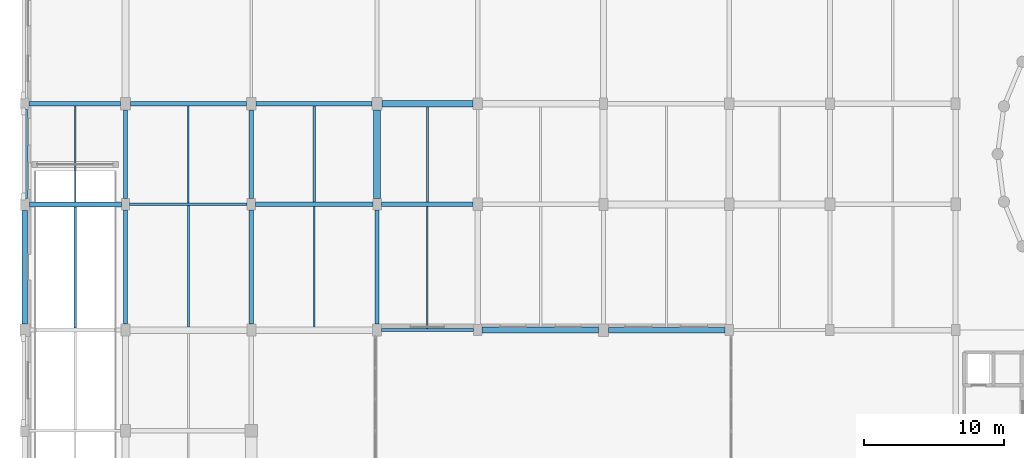
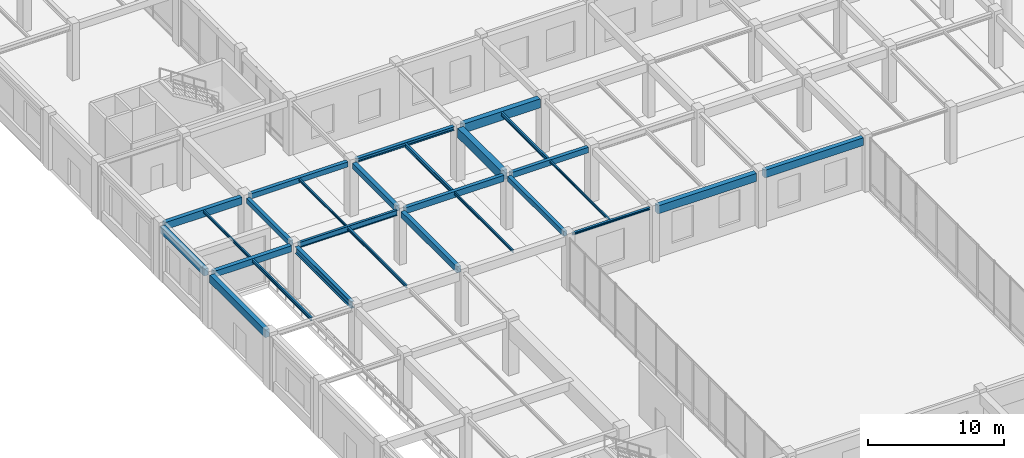
# One storey, part 14 of 64: 27 beams.
"""IFC4 building model written with IfcOpenShell, lengths in metres."""

from ifc_helpers import new_model, si_unit, direction, frame, origin, origin_2d, place, context, subcontext, project, spatial, rectangle, i_section, extrude, material, material_profile, profile_set, type_object, element, save


model = new_model("IFC4")

# Units and contexts
model_context = context("Model", 3, precision=1e-05, world=origin(), true_north=direction((0.0, 1.0)))
body_context = subcontext(model_context, "Body", "Model", "MODEL_VIEW")
ifc_project = project(units=[si_unit("LENGTHUNIT", "METRE"), si_unit("AREAUNIT", "SQUARE_METRE"), si_unit("VOLUMEUNIT", "CUBIC_METRE"), si_unit("PLANEANGLEUNIT", "RADIAN"), si_unit("MASSUNIT", "GRAM", prefix="KILO")], contexts=[model_context])

# Site, building, storey
site_placement = place(None, origin())
site = spatial("IfcSite", under=ifc_project, at=site_placement, CompositionType="ELEMENT")
building_placement = place(site_placement, origin())
building = spatial("IfcBuilding", under=site, at=building_placement, Name="Clarverna Civic Hall", CompositionType="ELEMENT")
storey_placement = place(building_placement, origin())
storey = spatial("IfcBuildingStorey", under=building, at=storey_placement, Name="L00", CompositionType="ELEMENT", Elevation=0.0)

# Beams
ifc_material_1 = material(Name="Steel S355", Category="steel")
ifc_material_profile_1 = material_profile(ifc_material_1, i_section(OverallWidth=0.199951171875, OverallDepth=0.18994140625, WebThickness=0.006591796875, FlangeThickness=0.010009765625, FilletRadius=0.01806640625, at=origin_2d()), Name="HEA 200")
ifc_profile_set_1 = profile_set([ifc_material_profile_1], Name="Steel S355")
beam_type_1 = type_object("IfcBeamType", Name="B-LN2", PredefinedType="LINTEL", material=ifc_profile_set_1)
beam_1_placement = place(storey_placement, frame((25.52490234375, 46.39990234375, 4.68505859375), z_axis=(1.0, 0.0, 0.0), x_axis=(0.0, 1.0, 0.0)))
element("IfcBeam", 1, at=beam_1_placement, inside=storey, type_object=beam_type_1, Name="B-LN2-004", PredefinedType="LINTEL", context=body_context, shape_type="SweptSolid", body=[
    extrude(i_section(OverallWidth=0.199951171875, OverallDepth=0.18994140625, WebThickness=0.006591796875, FlangeThickness=0.010009765625, FilletRadius=0.01806640625, at=origin_2d()), origin(), (0.0, 0.0, 1.0), 6.5751953125),
])
ifc_material_2 = material(Name="Concrete C35/45", Category="concrete")
ifc_material_profile_2 = material_profile(ifc_material_2, rectangle(XDim=0.5, YDim=0.85009765625, at=origin_2d()), Name="RC 500x850")
ifc_profile_set_2 = profile_set([ifc_material_profile_2], Name="Concrete C35/45")
beam_type_2 = type_object("IfcBeamType", Name="B-RC1", PredefinedType="BEAM", material=ifc_profile_set_2)
beam_2_placement = place(storey_placement, frame((25.199951171875, 55.800048828125, 4.35498046875), z_axis=(0.0, 1.0, 0.0), x_axis=(-1.0, 0.0, 0.0)))
element("IfcBeam", 2, at=beam_2_placement, inside=storey, type_object=beam_type_2, Name="B-RC1-014", PredefinedType="BEAM", context=body_context, shape_type="SweptSolid", body=[
    extrude(rectangle(XDim=0.5, YDim=0.85009765625, at=origin_2d()), origin(), (0.0, 0.0, 1.0), 6.349853515625),
])
ifc_material_profile_3 = material_profile(ifc_material_2, rectangle(XDim=0.35009765625, YDim=0.5, at=origin_2d()), Name="RC 350x500")
ifc_profile_set_3 = profile_set([ifc_material_profile_3], Name="Concrete C35/45")
beam_type_3 = type_object("IfcBeamType", Name="B-RC10", PredefinedType="BEAM", material=ifc_profile_set_3)
beam_3_placement = place(storey_placement, frame((16.199951171875, 55.800048828125, 4.530029296875), z_axis=(0.0, 1.0, 0.0), x_axis=(-1.0, 0.0, 0.0)))
element("IfcBeam", 3, at=beam_3_placement, inside=storey, type_object=beam_type_3, Name="B-RC10-018", PredefinedType="BEAM", context=body_context, shape_type="SweptSolid", body=[
    extrude(rectangle(XDim=0.35009765625, YDim=0.5, at=origin_2d()), origin(), (0.0, 0.0, 1.0), 6.349853515625),
])
ifc_material_profile_4 = material_profile(ifc_material_2, rectangle(XDim=0.300048828125, YDim=0.550048828125, at=origin_2d()), Name="RC 300x550")
ifc_profile_set_4 = profile_set([ifc_material_profile_4], Name="Concrete C35/45")
beam_type_4 = type_object("IfcBeamType", Name="B-RC11", PredefinedType="BEAM", material=ifc_profile_set_4)
beam_4_placement = place(storey_placement, frame((16.5, 55.39990234375, 4.5048828125), z_axis=(1.0, 0.0, 0.0), x_axis=(0.0, 1.0, 0.0)))
element("IfcBeam", 4, at=beam_4_placement, inside=storey, type_object=beam_type_4, Name="B-RC11-019", PredefinedType="BEAM", context=body_context, shape_type="SweptSolid", body=[
    extrude(rectangle(XDim=0.300048828125, YDim=0.550048828125, at=origin_2d()), origin(), (0.0, 0.0, 1.0), 8.39990234375),
])
ifc_material_profile_5 = material_profile(ifc_material_2, rectangle(XDim=0.300048828125, YDim=0.5, at=origin_2d()), Name="RC 300x500")
ifc_profile_set_5 = profile_set([ifc_material_profile_5], Name="Concrete C35/45")
beam_type_5 = type_object("IfcBeamType", Name="B-RC12", PredefinedType="BEAM", material=ifc_profile_set_5)
beam_5_placement = place(storey_placement, frame((25.5, 55.39990234375, 4.530029296875), z_axis=(1.0, 0.0, 0.0), x_axis=(0.0, 1.0, 0.0)))
element("IfcBeam", 5, at=beam_5_placement, inside=storey, type_object=beam_type_5, Name="B-RC12-020", PredefinedType="BEAM", context=body_context, shape_type="SweptSolid", body=[
    extrude(rectangle(XDim=0.300048828125, YDim=0.5, at=origin_2d()), origin(), (0.0, 0.0, 1.0), 6.550048828125),
])
ifc_material_profile_6 = material_profile(ifc_material_2, rectangle(XDim=0.35009765625, YDim=0.64990234375, at=origin_2d()), Name="RC 350x650")
ifc_profile_set_6 = profile_set([ifc_material_profile_6], Name="Concrete C35/45")
beam_type_6 = type_object("IfcBeamType", Name="B-RC17", PredefinedType="BEAM", material=ifc_profile_set_6)
beam_6_placement = place(storey_placement, frame((0.300048828125, 62.60009765625, 4.455078125), z_axis=(1.0, 0.0, 0.0), x_axis=(0.0, 1.0, 0.0)))
element("IfcBeam", 6, at=beam_6_placement, inside=storey, type_object=beam_type_6, Name="B-RC17-019", PredefinedType="BEAM", context=body_context, shape_type="SweptSolid", body=[
    extrude(rectangle(XDim=0.35009765625, YDim=0.64990234375, at=origin_2d()), origin(), (0.0, 0.0, 1.0), 6.550048828125),
])
ifc_material_profile_7 = material_profile(ifc_material_2, rectangle(XDim=0.300048828125, YDim=0.449951171875, at=origin_2d()), Name="RC 300x450")
ifc_profile_set_7 = profile_set([ifc_material_profile_7], Name="Concrete C35/45")
beam_type_7 = type_object("IfcBeamType", Name="B-RC18", PredefinedType="BEAM", material=ifc_profile_set_7)
beam_7_placement = place(storey_placement, frame((7.550048828125, 62.60009765625, 4.554931640625), z_axis=(1.0, 0.0, 0.0), x_axis=(0.0, 1.0, 0.0)))
element("IfcBeam", 7, at=beam_7_placement, inside=storey, type_object=beam_type_7, Name="B-RC18-015", PredefinedType="BEAM", context=body_context, shape_type="SweptSolid", body=[
    extrude(rectangle(XDim=0.300048828125, YDim=0.449951171875, at=origin_2d()), origin(), (0.0, 0.0, 1.0), 8.300048828125),
])
beam_8_placement = place(storey_placement, frame((7.199951171875, 55.800048828125, 4.554931640625), z_axis=(0.0, 1.0, 0.0), x_axis=(-1.0, 0.0, 0.0)))
element("IfcBeam", 8, at=beam_8_placement, inside=storey, type_object=beam_type_7, Name="B-RC18-019", PredefinedType="BEAM", context=body_context, shape_type="SweptSolid", body=[
    extrude(rectangle(XDim=0.300048828125, YDim=0.449951171875, at=origin_2d()), origin(), (0.0, 0.0, 1.0), 6.349853515625),
])
beam_9_placement = place(storey_placement, frame((25.199951171875, 46.824951171875, 4.554931640625), z_axis=(0.0, 1.0, 0.0), x_axis=(-1.0, 0.0, 0.0)))
element("IfcBeam", 9, at=beam_9_placement, inside=storey, type_object=beam_type_7, Name="B-RC18-020", PredefinedType="BEAM", context=body_context, shape_type="SweptSolid", body=[
    extrude(rectangle(XDim=0.300048828125, YDim=0.449951171875, at=origin_2d()), origin(), (0.0, 0.0, 1.0), 8.175048828125),
])
ifc_material_profile_8 = material_profile(ifc_material_2, rectangle(XDim=0.449951171875, YDim=0.800048828125, at=origin_2d()), Name="RC 450x800")
ifc_profile_set_8 = profile_set([ifc_material_profile_8], Name="Concrete C35/45")
beam_type_8 = type_object("IfcBeamType", Name="B-RC2", PredefinedType="BEAM", material=ifc_profile_set_8)
beam_10_placement = place(storey_placement, frame((25.550048828125, 62.60009765625, 4.3798828125), z_axis=(1.0, 0.0, 0.0), x_axis=(0.0, 1.0, 0.0)))
element("IfcBeam", 10, at=beam_10_placement, inside=storey, type_object=beam_type_8, Name="B-RC2-015", PredefinedType="BEAM", context=body_context, shape_type="SweptSolid", body=[
    extrude(rectangle(XDim=0.449951171875, YDim=0.800048828125, at=origin_2d()), origin(), (0.0, 0.0, 1.0), 6.52490234375),
])
ifc_material_profile_9 = material_profile(ifc_material_2, rectangle(XDim=0.35009765625, YDim=0.550048828125, at=origin_2d()), Name="RC 350x550")
ifc_profile_set_9 = profile_set([ifc_material_profile_9], Name="Concrete C35/45")
beam_type_9 = type_object("IfcBeamType", Name="B-RC9", PredefinedType="BEAM", material=ifc_profile_set_9)
beam_11_placement = place(storey_placement, frame((0.324951171875, 55.39990234375, 4.5048828125), z_axis=(1.0, 0.0, 0.0), x_axis=(0.0, 1.0, 0.0)))
element("IfcBeam", 11, at=beam_11_placement, inside=storey, type_object=beam_type_9, Name="B-RC9-017", PredefinedType="BEAM", context=body_context, shape_type="SweptSolid", body=[
    extrude(rectangle(XDim=0.35009765625, YDim=0.550048828125, at=origin_2d()), origin(), (0.0, 0.0, 1.0), 6.574951171875),
])
beam_12_placement = place(storey_placement, frame((16.199951171875, 46.824951171875, 4.5048828125), z_axis=(0.0, 1.0, 0.0), x_axis=(-1.0, 0.0, 0.0)))
element("IfcBeam", 12, at=beam_12_placement, inside=storey, type_object=beam_type_9, Name="B-RC9-020", PredefinedType="BEAM", context=body_context, shape_type="SweptSolid", body=[
    extrude(rectangle(XDim=0.35009765625, YDim=0.550048828125, at=origin_2d()), origin(), (0.0, 0.0, 1.0), 8.175048828125),
])
ifc_material_profile_10 = material_profile(ifc_material_2, rectangle(XDim=0.419921875, YDim=0.719970703125, at=origin_2d()), Name="RC 420x720")
ifc_profile_set_10 = profile_set([ifc_material_profile_10], Name="Concrete C35/45")
beam_type_10 = type_object("IfcBeamType", Name="B-SP1", PredefinedType="SPANDREL", material=ifc_profile_set_10)
beam_13_placement = place(storey_placement, frame((32.699951171875, 46.39990234375, 4.419921875), z_axis=(1.0, 0.0, 0.0), x_axis=(0.0, 1.0, 0.0)))
element("IfcBeam", 13, at=beam_13_placement, inside=storey, type_object=beam_type_10, Name="B-SP1-036", PredefinedType="SPANDREL", context=body_context, shape_type="SweptSolid", body=[
    extrude(rectangle(XDim=0.419921875, YDim=0.719970703125, at=origin_2d()), origin(), (0.0, 0.0, 1.0), 8.35009765625),
])
ifc_material_profile_11 = material_profile(ifc_material_2, rectangle(XDim=0.3798828125, YDim=0.679931640625, at=origin_2d()), Name="RC 380x680")
ifc_profile_set_11 = profile_set([ifc_material_profile_11], Name="Concrete C35/45")
beam_type_11 = type_object("IfcBeamType", Name="B-SP2", PredefinedType="SPANDREL", material=ifc_profile_set_11)
beam_14_placement = place(storey_placement, frame((41.75, 46.39990234375, 4.43994140625), z_axis=(1.0, 0.0, 0.0), x_axis=(0.0, 1.0, 0.0)))
element("IfcBeam", 14, at=beam_14_placement, inside=storey, type_object=beam_type_11, Name="B-SP2-034", PredefinedType="SPANDREL", context=body_context, shape_type="SweptSolid", body=[
    extrude(rectangle(XDim=0.3798828125, YDim=0.679931640625, at=origin_2d()), origin(), (0.0, 0.0, 1.0), 8.35009765625),
])
beam_15_placement = place(storey_placement, frame((0.0, 46.85009765625, 4.43994140625), z_axis=(0.0, 1.0, 0.0), x_axis=(-1.0, 0.0, 0.0)))
element("IfcBeam", 15, at=beam_15_placement, inside=storey, type_object=beam_type_11, Name="B-SP2-043", PredefinedType="SPANDREL", context=body_context, shape_type="SweptSolid", body=[
    extrude(rectangle(XDim=0.3798828125, YDim=0.679931640625, at=origin_2d()), origin(), (0.0, 0.0, 1.0), 8.125),
])
ifc_material_profile_12 = material_profile(ifc_material_2, rectangle(XDim=0.360107421875, YDim=0.6201171875, at=origin_2d()), Name="RC 360x620")
ifc_profile_set_12 = profile_set([ifc_material_profile_12], Name="Concrete C35/45")
beam_type_12 = type_object("IfcBeamType", Name="B-SP3", PredefinedType="SPANDREL", material=ifc_profile_set_12)
beam_16_placement = place(storey_placement, frame((0.0, 55.824951171875, 4.469970703125), z_axis=(0.0, 1.0, 0.0), x_axis=(-1.0, 0.0, 0.0)))
element("IfcBeam", 16, at=beam_16_placement, inside=storey, type_object=beam_type_12, Name="B-SP3-045", PredefinedType="SPANDREL", context=body_context, shape_type="SweptSolid", body=[
    extrude(rectangle(XDim=0.360107421875, YDim=0.6201171875, at=origin_2d()), origin(), (0.0, 0.0, 1.0), 6.375),
])
ifc_material_profile_13 = material_profile(ifc_material_1, i_section(OverallWidth=0.300048828125, OverallDepth=0.60009765625, WebThickness=0.015380859375, FlangeThickness=0.030029296875, FilletRadius=0.027099609375, at=origin_2d()), Name="HEB 600")
ifc_profile_set_13 = profile_set([ifc_material_profile_13], Name="Steel S355")
beam_type_13 = type_object("IfcBeamType", Name="B-ST1", PredefinedType="BEAM", material=ifc_profile_set_13)
beam_17_placement = place(storey_placement, frame((7.199951171875, 46.824951171875, 4.47998046875), z_axis=(0.0, 1.0, 0.0), x_axis=(-1.0, 0.0, 0.0)))
element("IfcBeam", 17, at=beam_17_placement, inside=storey, type_object=beam_type_13, Name="B-ST1-003", PredefinedType="BEAM", context=body_context, shape_type="SweptSolid", body=[
    extrude(i_section(OverallWidth=0.300048828125, OverallDepth=0.60009765625, WebThickness=0.015380859375, FlangeThickness=0.030029296875, FilletRadius=0.027099609375, at=origin_2d()), origin(), (0.0, 0.0, 1.0), 8.175048828125),
])
ifc_material_profile_14 = material_profile(ifc_material_1, i_section(OverallWidth=0.199951171875, OverallDepth=0.5, WebThickness=0.01025390625, FlangeThickness=0.01611328125, FilletRadius=0.02099609375, at=origin_2d()), Name="IPE 500")
ifc_profile_set_14 = profile_set([ifc_material_profile_14], Name="Steel S355")
beam_type_14 = type_object("IfcBeamType", Name="B-ST12", PredefinedType="BEAM", material=ifc_profile_set_14)
beam_18_placement = place(storey_placement, frame((7.5, 55.39990234375, 4.530029296875), z_axis=(1.0, 0.0, 0.0), x_axis=(0.0, 1.0, 0.0)))
element("IfcBeam", 18, at=beam_18_placement, inside=storey, type_object=beam_type_14, Name="B-ST12-001", PredefinedType="BEAM", context=body_context, shape_type="SweptSolid", body=[
    extrude(i_section(OverallWidth=0.199951171875, OverallDepth=0.5, WebThickness=0.01025390625, FlangeThickness=0.01611328125, FilletRadius=0.02099609375, at=origin_2d()), origin(), (0.0, 0.0, 1.0), 8.39990234375),
])
ifc_material_profile_15 = material_profile(ifc_material_1, i_section(OverallWidth=0.300048828125, OverallDepth=0.35009765625, WebThickness=0.010009765625, FlangeThickness=0.017578125, FilletRadius=0.027099609375, at=origin_2d()), Name="HEA 360")
ifc_profile_set_15 = profile_set([ifc_material_profile_15], Name="Steel S355")
beam_type_15 = type_object("IfcBeamType", Name="B-ST7", PredefinedType="BEAM", material=ifc_profile_set_15)
beam_19_placement = place(storey_placement, frame((16.550048828125, 62.60009765625, 4.60498046875), z_axis=(1.0, 0.0, 0.0), x_axis=(0.0, 1.0, 0.0)))
element("IfcBeam", 19, at=beam_19_placement, inside=storey, type_object=beam_type_15, Name="B-ST7-001", PredefinedType="BEAM", context=body_context, shape_type="SweptSolid", body=[
    extrude(i_section(OverallWidth=0.300048828125, OverallDepth=0.35009765625, WebThickness=0.010009765625, FlangeThickness=0.017578125, FilletRadius=0.027099609375, at=origin_2d()), origin(), (0.0, 0.0, 1.0), 8.300048828125),
])
ifc_material_profile_16 = material_profile(ifc_material_1, i_section(OverallWidth=0.169921875, OverallDepth=0.360107421875, WebThickness=0.008056640625, FlangeThickness=0.0126953125, FilletRadius=0.01806640625, at=origin_2d()), Name="IPE 360")
ifc_profile_set_16 = profile_set([ifc_material_profile_16], Name="Steel S355")
beam_type_16 = type_object("IfcBeamType", Name="J-ST1", PredefinedType="JOIST", material=ifc_profile_set_16)
beam_20_placement = place(storey_placement, frame((20.699951171875, 55.550048828125, 4.60009765625), z_axis=(0.0, 1.0, 0.0), x_axis=(-1.0, 0.0, 0.0)))
element("IfcBeam", 20, at=beam_20_placement, inside=storey, type_object=beam_type_16, Name="J-ST1-027", PredefinedType="JOIST", context=body_context, shape_type="SweptSolid", body=[
    extrude(i_section(OverallWidth=0.169921875, OverallDepth=0.360107421875, WebThickness=0.008056640625, FlangeThickness=0.0126953125, FilletRadius=0.01806640625, at=origin_2d()), origin(), (0.0, 0.0, 1.0), 6.89990234375),
])
ifc_material_profile_17 = material_profile(ifc_material_1, i_section(OverallWidth=0.159912109375, OverallDepth=0.330078125, WebThickness=0.007568359375, FlangeThickness=0.011474609375, FilletRadius=0.01806640625, at=origin_2d()), Name="IPE 330")
ifc_profile_set_17 = profile_set([ifc_material_profile_17], Name="Steel S355")
beam_type_17 = type_object("IfcBeamType", Name="J-ST2", PredefinedType="JOIST", material=ifc_profile_set_17)
beam_21_placement = place(storey_placement, frame((28.800048828125, 55.550048828125, 4.614990234375), z_axis=(0.0, 1.0, 0.0), x_axis=(-1.0, 0.0, 0.0)))
element("IfcBeam", 21, at=beam_21_placement, inside=storey, type_object=beam_type_17, Name="J-ST2-027", PredefinedType="JOIST", context=body_context, shape_type="SweptSolid", body=[
    extrude(i_section(OverallWidth=0.159912109375, OverallDepth=0.330078125, WebThickness=0.007568359375, FlangeThickness=0.011474609375, FilletRadius=0.01806640625, at=origin_2d()), origin(), (0.0, 0.0, 1.0), 6.824951171875),
])
ifc_material_profile_18 = material_profile(ifc_material_1, i_section(OverallWidth=0.14990234375, OverallDepth=0.300048828125, WebThickness=0.007080078125, FlangeThickness=0.0107421875, FilletRadius=0.014892578125, at=origin_2d()), Name="IPE 300")
ifc_profile_set_18 = profile_set([ifc_material_profile_18], Name="Steel S355")
beam_type_18 = type_object("IfcBeamType", Name="J-ST3", PredefinedType="JOIST", material=ifc_profile_set_18)
beam_22_placement = place(storey_placement, frame((3.60009765625, 46.550048828125, 4.6298828125), z_axis=(0.0, 1.0, 0.0), x_axis=(-1.0, 0.0, 0.0)))
element("IfcBeam", 22, at=beam_22_placement, inside=storey, type_object=beam_type_18, Name="J-ST3-025", PredefinedType="JOIST", context=body_context, shape_type="SweptSolid", body=[
    extrude(i_section(OverallWidth=0.14990234375, OverallDepth=0.300048828125, WebThickness=0.007080078125, FlangeThickness=0.0107421875, FilletRadius=0.014892578125, at=origin_2d()), origin(), (0.0, 0.0, 1.0), 8.675048828125),
])
ifc_material_profile_19 = material_profile(ifc_material_1, i_section(OverallWidth=0.135009765625, OverallDepth=0.27001953125, WebThickness=0.006591796875, FlangeThickness=0.01025390625, FilletRadius=0.014892578125, at=origin_2d()), Name="IPE 270")
ifc_profile_set_19 = profile_set([ifc_material_profile_19], Name="Steel S355")
beam_type_19 = type_object("IfcBeamType", Name="J-ST4", PredefinedType="JOIST", material=ifc_profile_set_19)
beam_23_placement = place(storey_placement, frame((11.699951171875, 46.625, 4.64501953125), z_axis=(0.0, 1.0, 0.0), x_axis=(-1.0, 0.0, 0.0)))
element("IfcBeam", 23, at=beam_23_placement, inside=storey, type_object=beam_type_19, Name="J-ST4-027", PredefinedType="JOIST", context=body_context, shape_type="SweptSolid", body=[
    extrude(i_section(OverallWidth=0.135009765625, OverallDepth=0.27001953125, WebThickness=0.006591796875, FlangeThickness=0.01025390625, FilletRadius=0.014892578125, at=origin_2d()), origin(), (0.0, 0.0, 1.0), 8.675048828125),
])
ifc_material_profile_20 = material_profile(ifc_material_1, i_section(OverallWidth=0.1201171875, OverallDepth=0.239990234375, WebThickness=0.006103515625, FlangeThickness=0.009765625, FilletRadius=0.014892578125, at=origin_2d()), Name="IPE 240")
ifc_profile_set_20 = profile_set([ifc_material_profile_20], Name="Steel S355")
beam_type_20 = type_object("IfcBeamType", Name="J-ST5", PredefinedType="JOIST", material=ifc_profile_set_20)
beam_24_placement = place(storey_placement, frame((20.699951171875, 46.625, 4.659912109375), z_axis=(0.0, 1.0, 0.0), x_axis=(-1.0, 0.0, 0.0)))
element("IfcBeam", 24, at=beam_24_placement, inside=storey, type_object=beam_type_20, Name="J-ST5-025", PredefinedType="JOIST", context=body_context, shape_type="SweptSolid", body=[
    extrude(i_section(OverallWidth=0.1201171875, OverallDepth=0.239990234375, WebThickness=0.006103515625, FlangeThickness=0.009765625, FilletRadius=0.014892578125, at=origin_2d()), origin(), (0.0, 0.0, 1.0), 8.625),
])
beam_25_placement = place(storey_placement, frame((3.60009765625, 55.574951171875, 4.659912109375), z_axis=(0.0, 1.0, 0.0), x_axis=(-1.0, 0.0, 0.0)))
element("IfcBeam", 25, at=beam_25_placement, inside=storey, type_object=beam_type_20, Name="J-ST5-026", PredefinedType="JOIST", context=body_context, shape_type="SweptSolid", body=[
    extrude(i_section(OverallWidth=0.1201171875, OverallDepth=0.239990234375, WebThickness=0.006103515625, FlangeThickness=0.009765625, FilletRadius=0.014892578125, at=origin_2d()), origin(), (0.0, 0.0, 1.0), 6.85009765625),
])
ifc_material_profile_21 = material_profile(ifc_material_1, i_section(OverallWidth=0.110107421875, OverallDepth=0.219970703125, WebThickness=0.005859375, FlangeThickness=0.00927734375, FilletRadius=0.011962890625, at=origin_2d()), Name="IPE 220")
ifc_profile_set_21 = profile_set([ifc_material_profile_21], Name="Steel S355")
beam_type_21 = type_object("IfcBeamType", Name="J-ST6", PredefinedType="JOIST", material=ifc_profile_set_21)
beam_26_placement = place(storey_placement, frame((28.800048828125, 46.5, 4.669921875), z_axis=(0.0, 1.0, 0.0), x_axis=(-1.0, 0.0, 0.0)))
element("IfcBeam", 26, at=beam_26_placement, inside=storey, type_object=beam_type_21, Name="J-ST6-026", PredefinedType="JOIST", context=body_context, shape_type="SweptSolid", body=[
    extrude(i_section(OverallWidth=0.110107421875, OverallDepth=0.219970703125, WebThickness=0.005859375, FlangeThickness=0.00927734375, FilletRadius=0.011962890625, at=origin_2d()), origin(), (0.0, 0.0, 1.0), 8.75),
])
beam_27_placement = place(storey_placement, frame((11.699951171875, 55.5, 4.669921875), z_axis=(0.0, 1.0, 0.0), x_axis=(-1.0, 0.0, 0.0)))
element("IfcBeam", 27, at=beam_27_placement, inside=storey, type_object=beam_type_21, Name="J-ST6-027", PredefinedType="JOIST", context=body_context, shape_type="SweptSolid", body=[
    extrude(i_section(OverallWidth=0.110107421875, OverallDepth=0.219970703125, WebThickness=0.005859375, FlangeThickness=0.00927734375, FilletRadius=0.011962890625, at=origin_2d()), origin(), (0.0, 0.0, 1.0), 6.949951171875),
])

save(model, "model.ifc")
